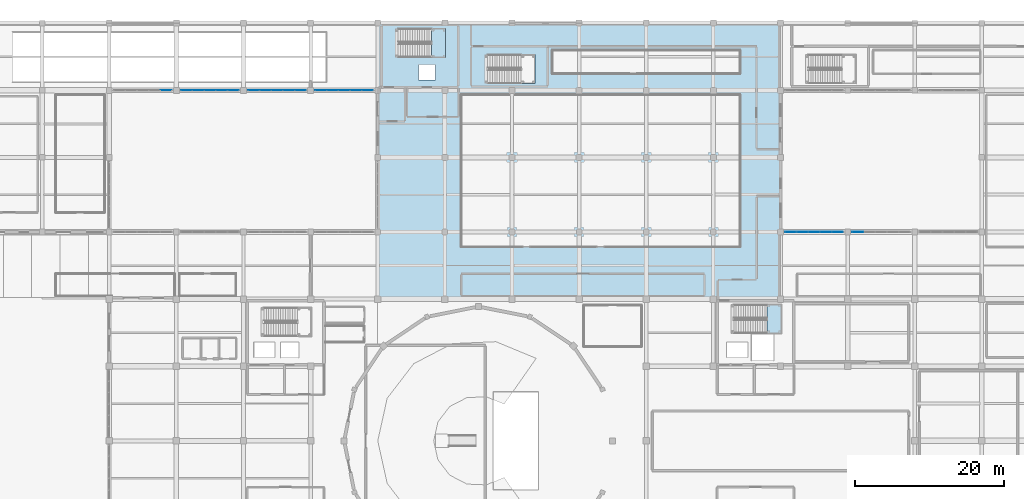
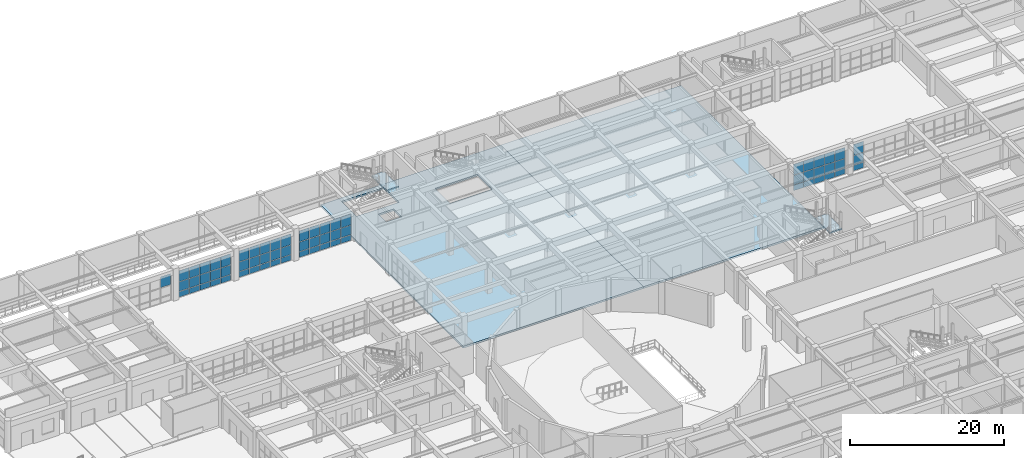
# One storey, part 91 of 128: 64 plates, 4 slabs, 8 elements without a shape of their own.
"""IFC4 building model written with IfcOpenShell, lengths in metres."""

from ifc_helpers import new_model, si_unit, direction, frame, origin, origin_2d, place, context, subcontext, project, spatial, polyline, rectangle, outline, extrude, material, layer, layer_set, type_object, element, aggregate, save


model = new_model("IFC4")

# Units and contexts
model_context = context("Model", 3, precision=1e-05, world=origin(), true_north=direction((0.0, 1.0)))
body_context = subcontext(model_context, "Body", "Model", "MODEL_VIEW")
ifc_project = project(units=[si_unit("LENGTHUNIT", "METRE"), si_unit("AREAUNIT", "SQUARE_METRE"), si_unit("VOLUMEUNIT", "CUBIC_METRE"), si_unit("PLANEANGLEUNIT", "RADIAN"), si_unit("MASSUNIT", "GRAM", prefix="KILO")], contexts=[model_context])

# Site, building, storey
site_placement = place(None, origin())
site = spatial("IfcSite", under=ifc_project, at=site_placement, CompositionType="ELEMENT")
building_placement = place(site_placement, origin())
building = spatial("IfcBuilding", under=site, at=building_placement, Name="Miravela Opera House", CompositionType="ELEMENT")
storey_placement = place(building_placement, origin())
storey = spatial("IfcBuildingStorey", under=building, at=storey_placement, Name="L00", CompositionType="ELEMENT", Elevation=0.0)

# Curtain wall, plate
ifc_material_1 = material(Name="Anodised architectural bronze aluminium 6063-T6", Category="aluminium")
curtain_wall_type_1 = type_object("IfcCurtainWallType", Name="ARC-CW-04", PredefinedType="NOTDEFINED", material=ifc_material_1)
curtain_wall_1_placement = place(storey_placement, origin())
curtain_wall_1 = element("IfcCurtainWall", 1, at=curtain_wall_1_placement, inside=storey, type_object=curtain_wall_type_1, Name="Courtyard Arcade Curtain Wall CW-L00-071", PredefinedType="NOTDEFINED")
ifc_material_2 = material(Name="Acoustic laminated low-E insulating glass", Category="glass")
ifc_layer_1 = layer(ifc_material_2, 0.028076171875)
ifc_layer_set_1 = layer_set([ifc_layer_1])
plate_type = type_object("IfcPlateType", Name="ARC-CWP-28", PredefinedType="CURTAIN_PANEL", material=ifc_layer_set_1)
plate_1_placement = place(storey_placement, frame((34.62109375, 103.0, 2.52392578125), z_axis=(0.0, 0.0, 1.0), x_axis=(1.0, 0.0, 0.0)))
plate_1 = element("IfcPlate", 2, at=plate_1_placement, type_object=plate_type, Name="CW-04 panel 5.3", PredefinedType="CURTAIN_PANEL", context=body_context, shape_type="SweptSolid", body=[
    extrude(rectangle(XDim=1.47802734375, YDim=0.028076171875, at=origin_2d()), origin(), (0.0, 0.0, 1.0), 1.716064453125),
])
aggregate(curtain_wall_1, [plate_1])

# Curtain wall, plates
curtain_wall_2_placement = place(storey_placement, origin())
curtain_wall_2 = element("IfcCurtainWall", 3, at=curtain_wall_2_placement, inside=storey, type_object=curtain_wall_type_1, Name="Courtyard Arcade Curtain Wall CW-L00-072", PredefinedType="NOTDEFINED")
plate_2_placement = place(storey_placement, frame((37.37890625, 103.0, 0.06005859375), z_axis=(0.0, 0.0, 1.0), x_axis=(1.0, 0.0, 0.0)))
plate_2 = element("IfcPlate", 4, at=plate_2_placement, type_object=plate_type, Name="CW-04 panel 1.1", PredefinedType="CURTAIN_PANEL", context=body_context, shape_type="SweptSolid", body=[
    extrude(rectangle(XDim=1.47802734375, YDim=0.028076171875, at=origin_2d()), origin(), (0.0, 0.0, 1.0), 0.860107421875),
])
plate_3_placement = place(storey_placement, frame((37.37890625, 103.0, 0.97998046875), z_axis=(0.0, 0.0, 1.0), x_axis=(1.0, 0.0, 0.0)))
plate_3 = element("IfcPlate", 5, at=plate_3_placement, type_object=plate_type, Name="CW-04 panel 1.2", PredefinedType="CURTAIN_PANEL", context=body_context, shape_type="SweptSolid", body=[
    extrude(rectangle(XDim=1.47802734375, YDim=0.028076171875, at=origin_2d()), origin(), (0.0, 0.0, 1.0), 1.48388671875),
])
plate_4_placement = place(storey_placement, frame((37.37890625, 103.0, 2.52392578125), z_axis=(0.0, 0.0, 1.0), x_axis=(1.0, 0.0, 0.0)))
plate_4 = element("IfcPlate", 6, at=plate_4_placement, type_object=plate_type, Name="CW-04 panel 1.3", PredefinedType="CURTAIN_PANEL", context=body_context, shape_type="SweptSolid", body=[
    extrude(rectangle(XDim=1.47802734375, YDim=0.028076171875, at=origin_2d()), origin(), (0.0, 0.0, 1.0), 1.716064453125),
])
plate_5_placement = place(storey_placement, frame((38.931884765625, 103.0, 0.06005859375), z_axis=(0.0, 0.0, 1.0), x_axis=(1.0, 0.0, 0.0)))
plate_5 = element("IfcPlate", 7, at=plate_5_placement, type_object=plate_type, Name="CW-04 panel 2.1", PredefinedType="CURTAIN_PANEL", context=body_context, shape_type="SweptSolid", body=[
    extrude(rectangle(XDim=1.508056640625, YDim=0.028076171875, at=origin_2d()), origin(), (0.0, 0.0, 1.0), 0.860107421875),
])
plate_6_placement = place(storey_placement, frame((38.931884765625, 103.0, 0.97998046875), z_axis=(0.0, 0.0, 1.0), x_axis=(1.0, 0.0, 0.0)))
plate_6 = element("IfcPlate", 8, at=plate_6_placement, type_object=plate_type, Name="CW-04 panel 2.2", PredefinedType="CURTAIN_PANEL", context=body_context, shape_type="SweptSolid", body=[
    extrude(rectangle(XDim=1.508056640625, YDim=0.028076171875, at=origin_2d()), origin(), (0.0, 0.0, 1.0), 1.48388671875),
])
plate_7_placement = place(storey_placement, frame((38.931884765625, 103.0, 2.52392578125), z_axis=(0.0, 0.0, 1.0), x_axis=(1.0, 0.0, 0.0)))
plate_7 = element("IfcPlate", 9, at=plate_7_placement, type_object=plate_type, Name="CW-04 panel 2.3", PredefinedType="CURTAIN_PANEL", context=body_context, shape_type="SweptSolid", body=[
    extrude(rectangle(XDim=1.508056640625, YDim=0.028076171875, at=origin_2d()), origin(), (0.0, 0.0, 1.0), 1.716064453125),
])
plate_8_placement = place(storey_placement, frame((40.5, 103.0, 0.06005859375), z_axis=(0.0, 0.0, 1.0), x_axis=(1.0, 0.0, 0.0)))
plate_8 = element("IfcPlate", 10, at=plate_8_placement, type_object=plate_type, Name="CW-04 panel 3.1", PredefinedType="CURTAIN_PANEL", context=body_context, shape_type="SweptSolid", body=[
    extrude(rectangle(XDim=1.508056640625, YDim=0.028076171875, at=origin_2d()), origin(), (0.0, 0.0, 1.0), 0.860107421875),
])
plate_9_placement = place(storey_placement, frame((40.5, 103.0, 0.97998046875), z_axis=(0.0, 0.0, 1.0), x_axis=(1.0, 0.0, 0.0)))
plate_9 = element("IfcPlate", 11, at=plate_9_placement, type_object=plate_type, Name="CW-04 panel 3.2", PredefinedType="CURTAIN_PANEL", context=body_context, shape_type="SweptSolid", body=[
    extrude(rectangle(XDim=1.508056640625, YDim=0.028076171875, at=origin_2d()), origin(), (0.0, 0.0, 1.0), 1.48388671875),
])
plate_10_placement = place(storey_placement, frame((40.5, 103.0, 2.52392578125), z_axis=(0.0, 0.0, 1.0), x_axis=(1.0, 0.0, 0.0)))
plate_10 = element("IfcPlate", 12, at=plate_10_placement, type_object=plate_type, Name="CW-04 panel 3.3", PredefinedType="CURTAIN_PANEL", context=body_context, shape_type="SweptSolid", body=[
    extrude(rectangle(XDim=1.508056640625, YDim=0.028076171875, at=origin_2d()), origin(), (0.0, 0.0, 1.0), 1.716064453125),
])
plate_11_placement = place(storey_placement, frame((42.068115234375, 103.0, 0.06005859375), z_axis=(0.0, 0.0, 1.0), x_axis=(1.0, 0.0, 0.0)))
plate_11 = element("IfcPlate", 13, at=plate_11_placement, type_object=plate_type, Name="CW-04 panel 4.1", PredefinedType="CURTAIN_PANEL", context=body_context, shape_type="SweptSolid", body=[
    extrude(rectangle(XDim=1.508056640625, YDim=0.028076171875, at=origin_2d()), origin(), (0.0, 0.0, 1.0), 0.860107421875),
])
plate_12_placement = place(storey_placement, frame((42.068115234375, 103.0, 0.97998046875), z_axis=(0.0, 0.0, 1.0), x_axis=(1.0, 0.0, 0.0)))
plate_12 = element("IfcPlate", 14, at=plate_12_placement, type_object=plate_type, Name="CW-04 panel 4.2", PredefinedType="CURTAIN_PANEL", context=body_context, shape_type="SweptSolid", body=[
    extrude(rectangle(XDim=1.508056640625, YDim=0.028076171875, at=origin_2d()), origin(), (0.0, 0.0, 1.0), 1.48388671875),
])
plate_13_placement = place(storey_placement, frame((42.068115234375, 103.0, 2.52392578125), z_axis=(0.0, 0.0, 1.0), x_axis=(1.0, 0.0, 0.0)))
plate_13 = element("IfcPlate", 15, at=plate_13_placement, type_object=plate_type, Name="CW-04 panel 4.3", PredefinedType="CURTAIN_PANEL", context=body_context, shape_type="SweptSolid", body=[
    extrude(rectangle(XDim=1.508056640625, YDim=0.028076171875, at=origin_2d()), origin(), (0.0, 0.0, 1.0), 1.716064453125),
])
plate_14_placement = place(storey_placement, frame((43.62109375, 103.0, 0.06005859375), z_axis=(0.0, 0.0, 1.0), x_axis=(1.0, 0.0, 0.0)))
plate_14 = element("IfcPlate", 16, at=plate_14_placement, type_object=plate_type, Name="CW-04 panel 5.1", PredefinedType="CURTAIN_PANEL", context=body_context, shape_type="SweptSolid", body=[
    extrude(rectangle(XDim=1.47802734375, YDim=0.028076171875, at=origin_2d()), origin(), (0.0, 0.0, 1.0), 0.860107421875),
])
plate_15_placement = place(storey_placement, frame((43.62109375, 103.0, 0.97998046875), z_axis=(0.0, 0.0, 1.0), x_axis=(1.0, 0.0, 0.0)))
plate_15 = element("IfcPlate", 17, at=plate_15_placement, type_object=plate_type, Name="CW-04 panel 5.2", PredefinedType="CURTAIN_PANEL", context=body_context, shape_type="SweptSolid", body=[
    extrude(rectangle(XDim=1.47802734375, YDim=0.028076171875, at=origin_2d()), origin(), (0.0, 0.0, 1.0), 1.48388671875),
])
plate_16_placement = place(storey_placement, frame((43.62109375, 103.0, 2.52392578125), z_axis=(0.0, 0.0, 1.0), x_axis=(1.0, 0.0, 0.0)))
plate_16 = element("IfcPlate", 18, at=plate_16_placement, type_object=plate_type, Name="CW-04 panel 5.3", PredefinedType="CURTAIN_PANEL", context=body_context, shape_type="SweptSolid", body=[
    extrude(rectangle(XDim=1.47802734375, YDim=0.028076171875, at=origin_2d()), origin(), (0.0, 0.0, 1.0), 1.716064453125),
])
aggregate(curtain_wall_2, [plate_2, plate_3, plate_4, plate_5, plate_6, plate_7, plate_8, plate_9, plate_10, plate_11, plate_12, plate_13, plate_14, plate_15, plate_16])

curtain_wall_3_placement = place(storey_placement, origin())
curtain_wall_3 = element("IfcCurtainWall", 19, at=curtain_wall_3_placement, inside=storey, type_object=curtain_wall_type_1, Name="Courtyard Arcade Curtain Wall CW-L00-073", PredefinedType="NOTDEFINED")
plate_17_placement = place(storey_placement, frame((46.37890625, 103.0, 0.06005859375), z_axis=(0.0, 0.0, 1.0), x_axis=(1.0, 0.0, 0.0)))
plate_17 = element("IfcPlate", 20, at=plate_17_placement, type_object=plate_type, Name="CW-04 panel 1.1", PredefinedType="CURTAIN_PANEL", context=body_context, shape_type="SweptSolid", body=[
    extrude(rectangle(XDim=1.47802734375, YDim=0.028076171875, at=origin_2d()), origin(), (0.0, 0.0, 1.0), 0.860107421875),
])
plate_18_placement = place(storey_placement, frame((46.37890625, 103.0, 0.97998046875), z_axis=(0.0, 0.0, 1.0), x_axis=(1.0, 0.0, 0.0)))
plate_18 = element("IfcPlate", 21, at=plate_18_placement, type_object=plate_type, Name="CW-04 panel 1.2", PredefinedType="CURTAIN_PANEL", context=body_context, shape_type="SweptSolid", body=[
    extrude(rectangle(XDim=1.47802734375, YDim=0.028076171875, at=origin_2d()), origin(), (0.0, 0.0, 1.0), 1.48388671875),
])
plate_19_placement = place(storey_placement, frame((46.37890625, 103.0, 2.52392578125), z_axis=(0.0, 0.0, 1.0), x_axis=(1.0, 0.0, 0.0)))
plate_19 = element("IfcPlate", 22, at=plate_19_placement, type_object=plate_type, Name="CW-04 panel 1.3", PredefinedType="CURTAIN_PANEL", context=body_context, shape_type="SweptSolid", body=[
    extrude(rectangle(XDim=1.47802734375, YDim=0.028076171875, at=origin_2d()), origin(), (0.0, 0.0, 1.0), 1.716064453125),
])
plate_20_placement = place(storey_placement, frame((47.931884765625, 103.0, 0.06005859375), z_axis=(0.0, 0.0, 1.0), x_axis=(1.0, 0.0, 0.0)))
plate_20 = element("IfcPlate", 23, at=plate_20_placement, type_object=plate_type, Name="CW-04 panel 2.1", PredefinedType="CURTAIN_PANEL", context=body_context, shape_type="SweptSolid", body=[
    extrude(rectangle(XDim=1.508056640625, YDim=0.028076171875, at=origin_2d()), origin(), (0.0, 0.0, 1.0), 0.860107421875),
])
plate_21_placement = place(storey_placement, frame((47.931884765625, 103.0, 0.97998046875), z_axis=(0.0, 0.0, 1.0), x_axis=(1.0, 0.0, 0.0)))
plate_21 = element("IfcPlate", 24, at=plate_21_placement, type_object=plate_type, Name="CW-04 panel 2.2", PredefinedType="CURTAIN_PANEL", context=body_context, shape_type="SweptSolid", body=[
    extrude(rectangle(XDim=1.508056640625, YDim=0.028076171875, at=origin_2d()), origin(), (0.0, 0.0, 1.0), 1.48388671875),
])
plate_22_placement = place(storey_placement, frame((47.931884765625, 103.0, 2.52392578125), z_axis=(0.0, 0.0, 1.0), x_axis=(1.0, 0.0, 0.0)))
plate_22 = element("IfcPlate", 25, at=plate_22_placement, type_object=plate_type, Name="CW-04 panel 2.3", PredefinedType="CURTAIN_PANEL", context=body_context, shape_type="SweptSolid", body=[
    extrude(rectangle(XDim=1.508056640625, YDim=0.028076171875, at=origin_2d()), origin(), (0.0, 0.0, 1.0), 1.716064453125),
])
plate_23_placement = place(storey_placement, frame((49.5, 103.0, 0.06005859375), z_axis=(0.0, 0.0, 1.0), x_axis=(1.0, 0.0, 0.0)))
plate_23 = element("IfcPlate", 26, at=plate_23_placement, type_object=plate_type, Name="CW-04 panel 3.1", PredefinedType="CURTAIN_PANEL", context=body_context, shape_type="SweptSolid", body=[
    extrude(rectangle(XDim=1.508056640625, YDim=0.028076171875, at=origin_2d()), origin(), (0.0, 0.0, 1.0), 0.860107421875),
])
plate_24_placement = place(storey_placement, frame((49.5, 103.0, 0.97998046875), z_axis=(0.0, 0.0, 1.0), x_axis=(1.0, 0.0, 0.0)))
plate_24 = element("IfcPlate", 27, at=plate_24_placement, type_object=plate_type, Name="CW-04 panel 3.2", PredefinedType="CURTAIN_PANEL", context=body_context, shape_type="SweptSolid", body=[
    extrude(rectangle(XDim=1.508056640625, YDim=0.028076171875, at=origin_2d()), origin(), (0.0, 0.0, 1.0), 1.48388671875),
])
plate_25_placement = place(storey_placement, frame((49.5, 103.0, 2.52392578125), z_axis=(0.0, 0.0, 1.0), x_axis=(1.0, 0.0, 0.0)))
plate_25 = element("IfcPlate", 28, at=plate_25_placement, type_object=plate_type, Name="CW-04 panel 3.3", PredefinedType="CURTAIN_PANEL", context=body_context, shape_type="SweptSolid", body=[
    extrude(rectangle(XDim=1.508056640625, YDim=0.028076171875, at=origin_2d()), origin(), (0.0, 0.0, 1.0), 1.716064453125),
])
plate_26_placement = place(storey_placement, frame((51.068115234375, 103.0, 0.06005859375), z_axis=(0.0, 0.0, 1.0), x_axis=(1.0, 0.0, 0.0)))
plate_26 = element("IfcPlate", 29, at=plate_26_placement, type_object=plate_type, Name="CW-04 panel 4.1", PredefinedType="CURTAIN_PANEL", context=body_context, shape_type="SweptSolid", body=[
    extrude(rectangle(XDim=1.508056640625, YDim=0.028076171875, at=origin_2d()), origin(), (0.0, 0.0, 1.0), 0.860107421875),
])
plate_27_placement = place(storey_placement, frame((51.068115234375, 103.0, 0.97998046875), z_axis=(0.0, 0.0, 1.0), x_axis=(1.0, 0.0, 0.0)))
plate_27 = element("IfcPlate", 30, at=plate_27_placement, type_object=plate_type, Name="CW-04 panel 4.2", PredefinedType="CURTAIN_PANEL", context=body_context, shape_type="SweptSolid", body=[
    extrude(rectangle(XDim=1.508056640625, YDim=0.028076171875, at=origin_2d()), origin(), (0.0, 0.0, 1.0), 1.48388671875),
])
plate_28_placement = place(storey_placement, frame((51.068115234375, 103.0, 2.52392578125), z_axis=(0.0, 0.0, 1.0), x_axis=(1.0, 0.0, 0.0)))
plate_28 = element("IfcPlate", 31, at=plate_28_placement, type_object=plate_type, Name="CW-04 panel 4.3", PredefinedType="CURTAIN_PANEL", context=body_context, shape_type="SweptSolid", body=[
    extrude(rectangle(XDim=1.508056640625, YDim=0.028076171875, at=origin_2d()), origin(), (0.0, 0.0, 1.0), 1.716064453125),
])
plate_29_placement = place(storey_placement, frame((52.62109375, 103.0, 0.06005859375), z_axis=(0.0, 0.0, 1.0), x_axis=(1.0, 0.0, 0.0)))
plate_29 = element("IfcPlate", 32, at=plate_29_placement, type_object=plate_type, Name="CW-04 panel 5.1", PredefinedType="CURTAIN_PANEL", context=body_context, shape_type="SweptSolid", body=[
    extrude(rectangle(XDim=1.47802734375, YDim=0.028076171875, at=origin_2d()), origin(), (0.0, 0.0, 1.0), 0.860107421875),
])
plate_30_placement = place(storey_placement, frame((52.62109375, 103.0, 0.97998046875), z_axis=(0.0, 0.0, 1.0), x_axis=(1.0, 0.0, 0.0)))
plate_30 = element("IfcPlate", 33, at=plate_30_placement, type_object=plate_type, Name="CW-04 panel 5.2", PredefinedType="CURTAIN_PANEL", context=body_context, shape_type="SweptSolid", body=[
    extrude(rectangle(XDim=1.47802734375, YDim=0.028076171875, at=origin_2d()), origin(), (0.0, 0.0, 1.0), 1.48388671875),
])
plate_31_placement = place(storey_placement, frame((52.62109375, 103.0, 2.52392578125), z_axis=(0.0, 0.0, 1.0), x_axis=(1.0, 0.0, 0.0)))
plate_31 = element("IfcPlate", 34, at=plate_31_placement, type_object=plate_type, Name="CW-04 panel 5.3", PredefinedType="CURTAIN_PANEL", context=body_context, shape_type="SweptSolid", body=[
    extrude(rectangle(XDim=1.47802734375, YDim=0.028076171875, at=origin_2d()), origin(), (0.0, 0.0, 1.0), 1.716064453125),
])
aggregate(curtain_wall_3, [plate_17, plate_18, plate_19, plate_20, plate_21, plate_22, plate_23, plate_24, plate_25, plate_26, plate_27, plate_28, plate_29, plate_30, plate_31])

curtain_wall_4_placement = place(storey_placement, origin())
curtain_wall_4 = element("IfcCurtainWall", 35, at=curtain_wall_4_placement, inside=storey, type_object=curtain_wall_type_1, Name="Courtyard Arcade Curtain Wall CW-L00-074", PredefinedType="NOTDEFINED")
plate_32_placement = place(storey_placement, frame((55.37890625, 103.0, 0.06005859375), z_axis=(0.0, 0.0, 1.0), x_axis=(1.0, 0.0, 0.0)))
plate_32 = element("IfcPlate", 36, at=plate_32_placement, type_object=plate_type, Name="CW-04 panel 1.1", PredefinedType="CURTAIN_PANEL", context=body_context, shape_type="SweptSolid", body=[
    extrude(rectangle(XDim=1.47802734375, YDim=0.028076171875, at=origin_2d()), origin(), (0.0, 0.0, 1.0), 0.860107421875),
])
plate_33_placement = place(storey_placement, frame((55.37890625, 103.0, 0.97998046875), z_axis=(0.0, 0.0, 1.0), x_axis=(1.0, 0.0, 0.0)))
plate_33 = element("IfcPlate", 37, at=plate_33_placement, type_object=plate_type, Name="CW-04 panel 1.2", PredefinedType="CURTAIN_PANEL", context=body_context, shape_type="SweptSolid", body=[
    extrude(rectangle(XDim=1.47802734375, YDim=0.028076171875, at=origin_2d()), origin(), (0.0, 0.0, 1.0), 1.48388671875),
])
plate_34_placement = place(storey_placement, frame((55.37890625, 103.0, 2.52392578125), z_axis=(0.0, 0.0, 1.0), x_axis=(1.0, 0.0, 0.0)))
plate_34 = element("IfcPlate", 38, at=plate_34_placement, type_object=plate_type, Name="CW-04 panel 1.3", PredefinedType="CURTAIN_PANEL", context=body_context, shape_type="SweptSolid", body=[
    extrude(rectangle(XDim=1.47802734375, YDim=0.028076171875, at=origin_2d()), origin(), (0.0, 0.0, 1.0), 1.716064453125),
])
plate_35_placement = place(storey_placement, frame((56.931884765625, 103.0, 0.06005859375), z_axis=(0.0, 0.0, 1.0), x_axis=(1.0, 0.0, 0.0)))
plate_35 = element("IfcPlate", 39, at=plate_35_placement, type_object=plate_type, Name="CW-04 panel 2.1", PredefinedType="CURTAIN_PANEL", context=body_context, shape_type="SweptSolid", body=[
    extrude(rectangle(XDim=1.508056640625, YDim=0.028076171875, at=origin_2d()), origin(), (0.0, 0.0, 1.0), 0.860107421875),
])
plate_36_placement = place(storey_placement, frame((56.931884765625, 103.0, 0.97998046875), z_axis=(0.0, 0.0, 1.0), x_axis=(1.0, 0.0, 0.0)))
plate_36 = element("IfcPlate", 40, at=plate_36_placement, type_object=plate_type, Name="CW-04 panel 2.2", PredefinedType="CURTAIN_PANEL", context=body_context, shape_type="SweptSolid", body=[
    extrude(rectangle(XDim=1.508056640625, YDim=0.028076171875, at=origin_2d()), origin(), (0.0, 0.0, 1.0), 1.48388671875),
])
plate_37_placement = place(storey_placement, frame((56.931884765625, 103.0, 2.52392578125), z_axis=(0.0, 0.0, 1.0), x_axis=(1.0, 0.0, 0.0)))
plate_37 = element("IfcPlate", 41, at=plate_37_placement, type_object=plate_type, Name="CW-04 panel 2.3", PredefinedType="CURTAIN_PANEL", context=body_context, shape_type="SweptSolid", body=[
    extrude(rectangle(XDim=1.508056640625, YDim=0.028076171875, at=origin_2d()), origin(), (0.0, 0.0, 1.0), 1.716064453125),
])
plate_38_placement = place(storey_placement, frame((58.5, 103.0, 0.06005859375), z_axis=(0.0, 0.0, 1.0), x_axis=(1.0, 0.0, 0.0)))
plate_38 = element("IfcPlate", 42, at=plate_38_placement, type_object=plate_type, Name="CW-04 panel 3.1", PredefinedType="CURTAIN_PANEL", context=body_context, shape_type="SweptSolid", body=[
    extrude(rectangle(XDim=1.508056640625, YDim=0.028076171875, at=origin_2d()), origin(), (0.0, 0.0, 1.0), 0.860107421875),
])
plate_39_placement = place(storey_placement, frame((58.5, 103.0, 0.97998046875), z_axis=(0.0, 0.0, 1.0), x_axis=(1.0, 0.0, 0.0)))
plate_39 = element("IfcPlate", 43, at=plate_39_placement, type_object=plate_type, Name="CW-04 panel 3.2", PredefinedType="CURTAIN_PANEL", context=body_context, shape_type="SweptSolid", body=[
    extrude(rectangle(XDim=1.508056640625, YDim=0.028076171875, at=origin_2d()), origin(), (0.0, 0.0, 1.0), 1.48388671875),
])
plate_40_placement = place(storey_placement, frame((58.5, 103.0, 2.52392578125), z_axis=(0.0, 0.0, 1.0), x_axis=(1.0, 0.0, 0.0)))
plate_40 = element("IfcPlate", 44, at=plate_40_placement, type_object=plate_type, Name="CW-04 panel 3.3", PredefinedType="CURTAIN_PANEL", context=body_context, shape_type="SweptSolid", body=[
    extrude(rectangle(XDim=1.508056640625, YDim=0.028076171875, at=origin_2d()), origin(), (0.0, 0.0, 1.0), 1.716064453125),
])
plate_41_placement = place(storey_placement, frame((60.068115234375, 103.0, 0.06005859375), z_axis=(0.0, 0.0, 1.0), x_axis=(1.0, 0.0, 0.0)))
plate_41 = element("IfcPlate", 45, at=plate_41_placement, type_object=plate_type, Name="CW-04 panel 4.1", PredefinedType="CURTAIN_PANEL", context=body_context, shape_type="SweptSolid", body=[
    extrude(rectangle(XDim=1.508056640625, YDim=0.028076171875, at=origin_2d()), origin(), (0.0, 0.0, 1.0), 0.860107421875),
])
plate_42_placement = place(storey_placement, frame((60.068115234375, 103.0, 0.97998046875), z_axis=(0.0, 0.0, 1.0), x_axis=(1.0, 0.0, 0.0)))
plate_42 = element("IfcPlate", 46, at=plate_42_placement, type_object=plate_type, Name="CW-04 panel 4.2", PredefinedType="CURTAIN_PANEL", context=body_context, shape_type="SweptSolid", body=[
    extrude(rectangle(XDim=1.508056640625, YDim=0.028076171875, at=origin_2d()), origin(), (0.0, 0.0, 1.0), 1.48388671875),
])
plate_43_placement = place(storey_placement, frame((60.068115234375, 103.0, 2.52392578125), z_axis=(0.0, 0.0, 1.0), x_axis=(1.0, 0.0, 0.0)))
plate_43 = element("IfcPlate", 47, at=plate_43_placement, type_object=plate_type, Name="CW-04 panel 4.3", PredefinedType="CURTAIN_PANEL", context=body_context, shape_type="SweptSolid", body=[
    extrude(rectangle(XDim=1.508056640625, YDim=0.028076171875, at=origin_2d()), origin(), (0.0, 0.0, 1.0), 1.716064453125),
])
plate_44_placement = place(storey_placement, frame((61.62109375, 103.0, 0.06005859375), z_axis=(0.0, 0.0, 1.0), x_axis=(1.0, 0.0, 0.0)))
plate_44 = element("IfcPlate", 48, at=plate_44_placement, type_object=plate_type, Name="CW-04 panel 5.1", PredefinedType="CURTAIN_PANEL", context=body_context, shape_type="SweptSolid", body=[
    extrude(rectangle(XDim=1.47802734375, YDim=0.028076171875, at=origin_2d()), origin(), (0.0, 0.0, 1.0), 0.860107421875),
])
plate_45_placement = place(storey_placement, frame((61.62109375, 103.0, 0.97998046875), z_axis=(0.0, 0.0, 1.0), x_axis=(1.0, 0.0, 0.0)))
plate_45 = element("IfcPlate", 49, at=plate_45_placement, type_object=plate_type, Name="CW-04 panel 5.2", PredefinedType="CURTAIN_PANEL", context=body_context, shape_type="SweptSolid", body=[
    extrude(rectangle(XDim=1.47802734375, YDim=0.028076171875, at=origin_2d()), origin(), (0.0, 0.0, 1.0), 1.48388671875),
])
plate_46_placement = place(storey_placement, frame((61.62109375, 103.0, 2.52392578125), z_axis=(0.0, 0.0, 1.0), x_axis=(1.0, 0.0, 0.0)))
plate_46 = element("IfcPlate", 50, at=plate_46_placement, type_object=plate_type, Name="CW-04 panel 5.3", PredefinedType="CURTAIN_PANEL", context=body_context, shape_type="SweptSolid", body=[
    extrude(rectangle(XDim=1.47802734375, YDim=0.028076171875, at=origin_2d()), origin(), (0.0, 0.0, 1.0), 1.716064453125),
])
aggregate(curtain_wall_4, [plate_32, plate_33, plate_34, plate_35, plate_36, plate_37, plate_38, plate_39, plate_40, plate_41, plate_42, plate_43, plate_44, plate_45, plate_46])

curtain_wall_type_2 = type_object("IfcCurtainWallType", Name="ARC-CW-05", PredefinedType="NOTDEFINED", material=ifc_material_1)
curtain_wall_5_placement = place(storey_placement, origin())
curtain_wall_5 = element("IfcCurtainWall", 51, at=curtain_wall_5_placement, inside=storey, type_object=curtain_wall_type_2, Name="Courtyard Arcade Curtain Wall CW-L00-156", PredefinedType="NOTDEFINED")
plate_47_placement = place(storey_placement, frame((118.37890625, 84.0, 0.06005859375), z_axis=(0.0, 0.0, 1.0), x_axis=(1.0, 0.0, 0.0)))
plate_47 = element("IfcPlate", 52, at=plate_47_placement, type_object=plate_type, Name="CW-05 panel 1.1", PredefinedType="CURTAIN_PANEL", context=body_context, shape_type="SweptSolid", body=[
    extrude(rectangle(XDim=1.47802734375, YDim=0.028076171875, at=origin_2d()), origin(), (0.0, 0.0, 1.0), 0.860107421875),
])
plate_48_placement = place(storey_placement, frame((118.37890625, 84.0, 0.97998046875), z_axis=(0.0, 0.0, 1.0), x_axis=(1.0, 0.0, 0.0)))
plate_48 = element("IfcPlate", 53, at=plate_48_placement, type_object=plate_type, Name="CW-05 panel 1.2", PredefinedType="CURTAIN_PANEL", context=body_context, shape_type="SweptSolid", body=[
    extrude(rectangle(XDim=1.47802734375, YDim=0.028076171875, at=origin_2d()), origin(), (0.0, 0.0, 1.0), 1.48388671875),
])
plate_49_placement = place(storey_placement, frame((118.37890625, 84.0, 2.52392578125), z_axis=(0.0, 0.0, 1.0), x_axis=(1.0, 0.0, 0.0)))
plate_49 = element("IfcPlate", 54, at=plate_49_placement, type_object=plate_type, Name="CW-05 panel 1.3", PredefinedType="CURTAIN_PANEL", context=body_context, shape_type="SweptSolid", body=[
    extrude(rectangle(XDim=1.47802734375, YDim=0.028076171875, at=origin_2d()), origin(), (0.0, 0.0, 1.0), 1.716064453125),
])
plate_50_placement = place(storey_placement, frame((119.931884765625, 84.0, 0.06005859375), z_axis=(0.0, 0.0, 1.0), x_axis=(1.0, 0.0, 0.0)))
plate_50 = element("IfcPlate", 55, at=plate_50_placement, type_object=plate_type, Name="CW-05 panel 2.1", PredefinedType="CURTAIN_PANEL", context=body_context, shape_type="SweptSolid", body=[
    extrude(rectangle(XDim=1.508056640625, YDim=0.028076171875, at=origin_2d()), origin(), (0.0, 0.0, 1.0), 0.860107421875),
])
plate_51_placement = place(storey_placement, frame((119.931884765625, 84.0, 0.97998046875), z_axis=(0.0, 0.0, 1.0), x_axis=(1.0, 0.0, 0.0)))
plate_51 = element("IfcPlate", 56, at=plate_51_placement, type_object=plate_type, Name="CW-05 panel 2.2", PredefinedType="CURTAIN_PANEL", context=body_context, shape_type="SweptSolid", body=[
    extrude(rectangle(XDim=1.508056640625, YDim=0.028076171875, at=origin_2d()), origin(), (0.0, 0.0, 1.0), 1.48388671875),
])
plate_52_placement = place(storey_placement, frame((119.931884765625, 84.0, 2.52392578125), z_axis=(0.0, 0.0, 1.0), x_axis=(1.0, 0.0, 0.0)))
plate_52 = element("IfcPlate", 57, at=plate_52_placement, type_object=plate_type, Name="CW-05 panel 2.3", PredefinedType="CURTAIN_PANEL", context=body_context, shape_type="SweptSolid", body=[
    extrude(rectangle(XDim=1.508056640625, YDim=0.028076171875, at=origin_2d()), origin(), (0.0, 0.0, 1.0), 1.716064453125),
])
plate_53_placement = place(storey_placement, frame((121.5, 84.0, 0.06005859375), z_axis=(0.0, 0.0, 1.0), x_axis=(1.0, 0.0, 0.0)))
plate_53 = element("IfcPlate", 58, at=plate_53_placement, type_object=plate_type, Name="CW-05 panel 3.1", PredefinedType="CURTAIN_PANEL", context=body_context, shape_type="SweptSolid", body=[
    extrude(rectangle(XDim=1.508056640625, YDim=0.028076171875, at=origin_2d()), origin(), (0.0, 0.0, 1.0), 0.860107421875),
])
plate_54_placement = place(storey_placement, frame((121.5, 84.0, 0.97998046875), z_axis=(0.0, 0.0, 1.0), x_axis=(1.0, 0.0, 0.0)))
plate_54 = element("IfcPlate", 59, at=plate_54_placement, type_object=plate_type, Name="CW-05 panel 3.2", PredefinedType="CURTAIN_PANEL", context=body_context, shape_type="SweptSolid", body=[
    extrude(rectangle(XDim=1.508056640625, YDim=0.028076171875, at=origin_2d()), origin(), (0.0, 0.0, 1.0), 1.48388671875),
])
plate_55_placement = place(storey_placement, frame((121.5, 84.0, 2.52392578125), z_axis=(0.0, 0.0, 1.0), x_axis=(1.0, 0.0, 0.0)))
plate_55 = element("IfcPlate", 60, at=plate_55_placement, type_object=plate_type, Name="CW-05 panel 3.3", PredefinedType="CURTAIN_PANEL", context=body_context, shape_type="SweptSolid", body=[
    extrude(rectangle(XDim=1.508056640625, YDim=0.028076171875, at=origin_2d()), origin(), (0.0, 0.0, 1.0), 1.716064453125),
])
plate_56_placement = place(storey_placement, frame((123.068115234375, 84.0, 0.06005859375), z_axis=(0.0, 0.0, 1.0), x_axis=(1.0, 0.0, 0.0)))
plate_56 = element("IfcPlate", 61, at=plate_56_placement, type_object=plate_type, Name="CW-05 panel 4.1", PredefinedType="CURTAIN_PANEL", context=body_context, shape_type="SweptSolid", body=[
    extrude(rectangle(XDim=1.508056640625, YDim=0.028076171875, at=origin_2d()), origin(), (0.0, 0.0, 1.0), 0.860107421875),
])
plate_57_placement = place(storey_placement, frame((123.068115234375, 84.0, 0.97998046875), z_axis=(0.0, 0.0, 1.0), x_axis=(1.0, 0.0, 0.0)))
plate_57 = element("IfcPlate", 62, at=plate_57_placement, type_object=plate_type, Name="CW-05 panel 4.2", PredefinedType="CURTAIN_PANEL", context=body_context, shape_type="SweptSolid", body=[
    extrude(rectangle(XDim=1.508056640625, YDim=0.028076171875, at=origin_2d()), origin(), (0.0, 0.0, 1.0), 1.48388671875),
])
plate_58_placement = place(storey_placement, frame((123.068115234375, 84.0, 2.52392578125), z_axis=(0.0, 0.0, 1.0), x_axis=(1.0, 0.0, 0.0)))
plate_58 = element("IfcPlate", 63, at=plate_58_placement, type_object=plate_type, Name="CW-05 panel 4.3", PredefinedType="CURTAIN_PANEL", context=body_context, shape_type="SweptSolid", body=[
    extrude(rectangle(XDim=1.508056640625, YDim=0.028076171875, at=origin_2d()), origin(), (0.0, 0.0, 1.0), 1.716064453125),
])
plate_59_placement = place(storey_placement, frame((124.62109375, 84.0, 0.06005859375), z_axis=(0.0, 0.0, 1.0), x_axis=(1.0, 0.0, 0.0)))
plate_59 = element("IfcPlate", 64, at=plate_59_placement, type_object=plate_type, Name="CW-05 panel 5.1", PredefinedType="CURTAIN_PANEL", context=body_context, shape_type="SweptSolid", body=[
    extrude(rectangle(XDim=1.47802734375, YDim=0.028076171875, at=origin_2d()), origin(), (0.0, 0.0, 1.0), 0.860107421875),
])
plate_60_placement = place(storey_placement, frame((124.62109375, 84.0, 0.97998046875), z_axis=(0.0, 0.0, 1.0), x_axis=(1.0, 0.0, 0.0)))
plate_60 = element("IfcPlate", 65, at=plate_60_placement, type_object=plate_type, Name="CW-05 panel 5.2", PredefinedType="CURTAIN_PANEL", context=body_context, shape_type="SweptSolid", body=[
    extrude(rectangle(XDim=1.47802734375, YDim=0.028076171875, at=origin_2d()), origin(), (0.0, 0.0, 1.0), 1.48388671875),
])
plate_61_placement = place(storey_placement, frame((124.62109375, 84.0, 2.52392578125), z_axis=(0.0, 0.0, 1.0), x_axis=(1.0, 0.0, 0.0)))
plate_61 = element("IfcPlate", 66, at=plate_61_placement, type_object=plate_type, Name="CW-05 panel 5.3", PredefinedType="CURTAIN_PANEL", context=body_context, shape_type="SweptSolid", body=[
    extrude(rectangle(XDim=1.47802734375, YDim=0.028076171875, at=origin_2d()), origin(), (0.0, 0.0, 1.0), 1.716064453125),
])
aggregate(curtain_wall_5, [plate_47, plate_48, plate_49, plate_50, plate_51, plate_52, plate_53, plate_54, plate_55, plate_56, plate_57, plate_58, plate_59, plate_60, plate_61])

curtain_wall_6_placement = place(storey_placement, origin())
curtain_wall_6 = element("IfcCurtainWall", 67, at=curtain_wall_6_placement, inside=storey, type_object=curtain_wall_type_2, Name="Courtyard Arcade Curtain Wall CW-L00-160", PredefinedType="NOTDEFINED")
plate_62_placement = place(storey_placement, frame((127.37890625, 84.0, 0.06005859375), z_axis=(0.0, 0.0, 1.0), x_axis=(1.0, 0.0, 0.0)))
plate_62 = element("IfcPlate", 68, at=plate_62_placement, type_object=plate_type, Name="CW-05 panel 1.1", PredefinedType="CURTAIN_PANEL", context=body_context, shape_type="SweptSolid", body=[
    extrude(rectangle(XDim=1.47802734375, YDim=0.028076171875, at=origin_2d()), origin(), (0.0, 0.0, 1.0), 0.860107421875),
])
plate_63_placement = place(storey_placement, frame((127.37890625, 84.0, 0.97998046875), z_axis=(0.0, 0.0, 1.0), x_axis=(1.0, 0.0, 0.0)))
plate_63 = element("IfcPlate", 69, at=plate_63_placement, type_object=plate_type, Name="CW-05 panel 1.2", PredefinedType="CURTAIN_PANEL", context=body_context, shape_type="SweptSolid", body=[
    extrude(rectangle(XDim=1.47802734375, YDim=0.028076171875, at=origin_2d()), origin(), (0.0, 0.0, 1.0), 1.48388671875),
])
plate_64_placement = place(storey_placement, frame((127.37890625, 84.0, 2.52392578125), z_axis=(0.0, 0.0, 1.0), x_axis=(1.0, 0.0, 0.0)))
plate_64 = element("IfcPlate", 70, at=plate_64_placement, type_object=plate_type, Name="CW-05 panel 1.3", PredefinedType="CURTAIN_PANEL", context=body_context, shape_type="SweptSolid", body=[
    extrude(rectangle(XDim=1.47802734375, YDim=0.028076171875, at=origin_2d()), origin(), (0.0, 0.0, 1.0), 1.716064453125),
])
aggregate(curtain_wall_6, [plate_62, plate_63, plate_64])

# Stair, slab
ifc_material_3 = material(Name="Concrete C35/45", Category="concrete")
stair_type = type_object("IfcStairType", Name="ARC-STAIR-CORE-1680", PredefinedType="HALF_TURN_STAIR", material=ifc_material_3)
stair_1_placement = place(storey_placement, origin())
stair_1 = element("IfcStair", 71, at=stair_1_placement, inside=storey, type_object=stair_type, Name="L00 Core K3 North Stage and Firefighting Core Exit Stair ST-03", PredefinedType="HALF_TURN_STAIR")
ifc_layer_2 = layer(ifc_material_3, 0.199951171875)
ifc_layer_set_2 = layer_set([ifc_layer_2])
slab_type_1 = type_object("IfcSlabType", Name="ARC-LANDING-200", PredefinedType="LANDING", material=ifc_layer_set_2)
slab_1_placement = place(storey_placement, frame((0.0, 0.0, 2.35009765625)))
slab_1 = element("IfcSlab", 72, at=slab_1_placement, type_object=slab_type_1, Name="ST-03 landing 1", PredefinedType="LANDING", context=body_context, shape_type="SweptSolid", body=[
    extrude(outline(polyline([(115.219970703125, 70.39990234375), (117.10009765625, 70.39990234375), (117.10009765625, 74.280029296875), (115.219970703125, 74.280029296875), (115.219970703125, 70.39990234375)])), origin(), (0.0, 0.0, 1.0), 0.199951171875),
])
aggregate(stair_1, [slab_1])

stair_2_placement = place(storey_placement, origin())
stair_2 = element("IfcStair", 73, at=stair_2_placement, inside=storey, type_object=stair_type, Name="L00 Core K5 North Rehearsal Core Exit Stair ST-05", PredefinedType="HALF_TURN_STAIR")
slab_2_placement = place(storey_placement, frame((0.0, 0.0, 2.35009765625)))
slab_2 = element("IfcSlab", 74, at=slab_2_placement, type_object=slab_type_1, Name="ST-05 landing 1", PredefinedType="LANDING", context=body_context, shape_type="SweptSolid", body=[
    extrude(outline(polyline([(70.219970703125, 107.39990234375), (72.10009765625, 107.39990234375), (72.10009765625, 111.280029296875), (70.219970703125, 111.280029296875), (70.219970703125, 107.39990234375)])), origin(), (0.0, 0.0, 1.0), 0.199951171875),
])
aggregate(stair_2, [slab_2])

# Slabs
ifc_layer_3 = layer(ifc_material_3, 0.280029296875)
ifc_layer_set_3 = layer_set([ifc_layer_3])
slab_type_2 = type_object("IfcSlabType", Name="STR-SLAB-L00-280", PredefinedType="FLOOR", material=ifc_layer_set_3)
slab_3_placement = place(storey_placement, frame((0.0, 0.0, -0.280029296875)))
element("IfcSlab", 75, at=slab_3_placement, inside=storey, type_object=slab_type_2, Name="Ground Level Slab SLAB-L00-V3M1", PredefinedType="FLOOR", context=body_context, shape_type="SweptSolid", body=[
    extrude(outline(polyline([(63.0, 75.0), (90.0, 75.0), (90.0, 112.0), (63.0, 112.0), (63.0, 75.0)]), holes=[polyline([(65.739990234375, 107.39990234375), (72.10009765625, 107.39990234375), (72.10009765625, 111.280029296875), (65.739990234375, 111.280029296875), (65.739990234375, 107.39990234375)]), polyline([(77.739990234375, 103.89990234375), (84.10009765625, 103.89990234375), (84.10009765625, 107.780029296875), (77.739990234375, 107.780029296875), (77.739990234375, 103.89990234375)]), polyline([(68.449951171875, 104.39990234375), (70.75, 104.39990234375), (70.75, 106.39990234375), (68.449951171875, 106.39990234375), (68.449951171875, 104.39990234375)])]), origin(), (0.0, 0.0, 1.0), 0.280029296875),
])
slab_4_placement = place(storey_placement, frame((0.0, 0.0, -0.280029296875)))
element("IfcSlab", 76, at=slab_4_placement, inside=storey, type_object=slab_type_2, Name="Ground Level Slab SLAB-L00-V3M2", PredefinedType="FLOOR", context=body_context, shape_type="SweptSolid", body=[
    extrude(outline(polyline([(90.0, 75.0), (117.0, 75.0), (117.0, 112.0), (90.0, 112.0), (90.0, 75.0)])), origin(), (0.0, 0.0, 1.0), 0.280029296875),
])

save(model, "model.ifc")
